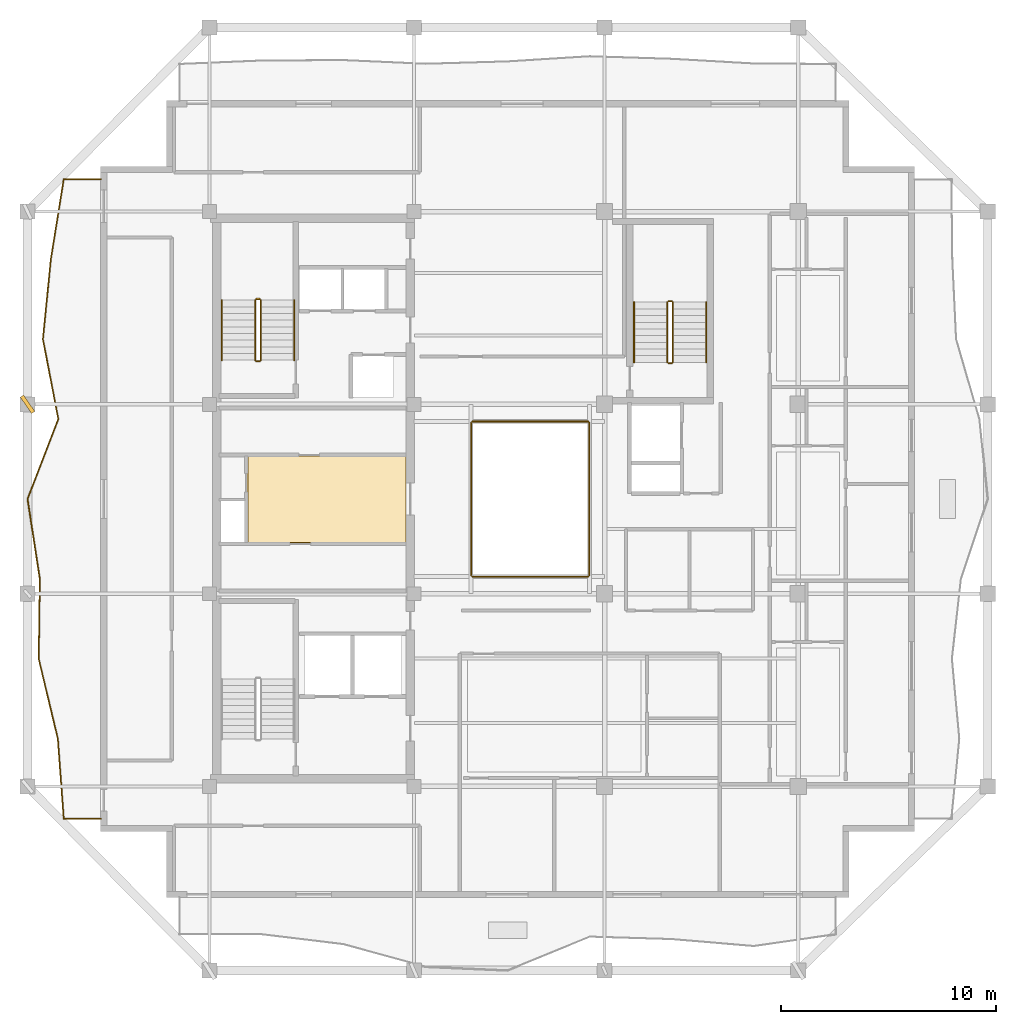
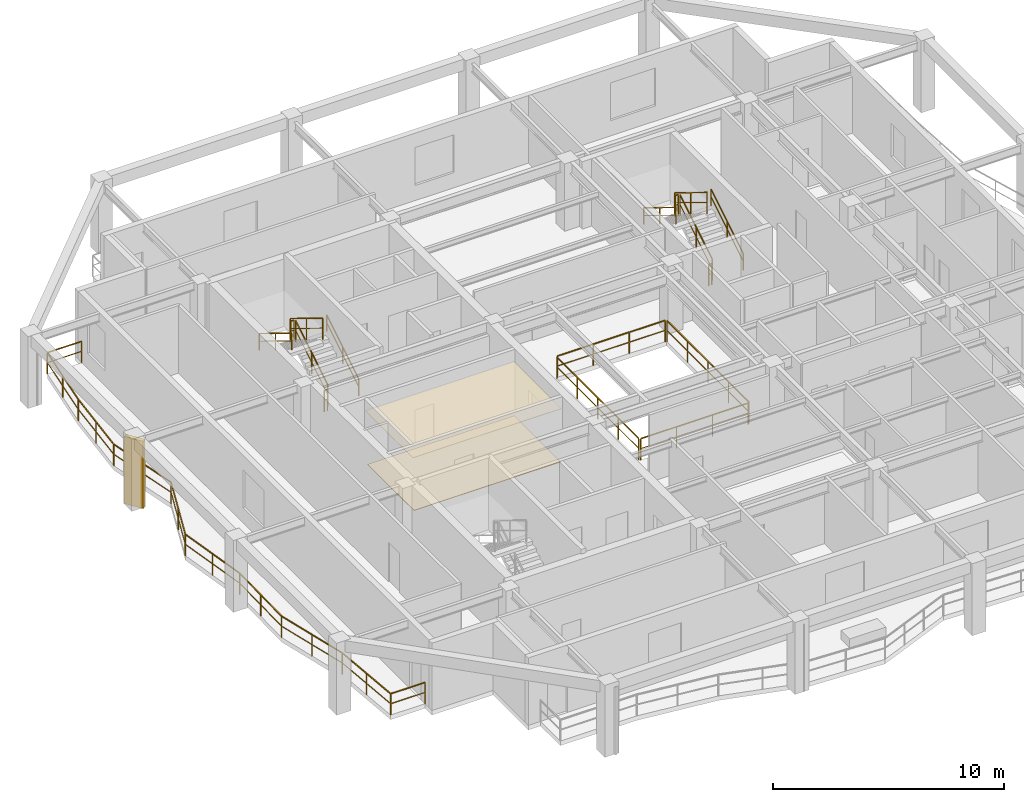
# One storey, part 8 of 10: 17 railings, 2 coverings, 1 shading device.
"""IFC4 building model written with IfcOpenShell, lengths in metres."""

from ifc_helpers import new_model, si_unit, direction, frame, origin, origin_2d, place, context, subcontext, project, spatial, polyline, rectangle, outline, extrude, material, layer, layer_set, type_object, element, save


model = new_model("IFC4")

# Units and contexts
model_context = context("Model", 3, precision=1e-05, world=origin(), true_north=direction((0.0, 1.0)))
body_context = subcontext(model_context, "Body", "Model", "MODEL_VIEW")
ifc_project = project(units=[si_unit("LENGTHUNIT", "METRE"), si_unit("AREAUNIT", "SQUARE_METRE"), si_unit("VOLUMEUNIT", "CUBIC_METRE"), si_unit("PLANEANGLEUNIT", "RADIAN"), si_unit("MASSUNIT", "GRAM", prefix="KILO")], contexts=[model_context])

# Site, building, storey
site_placement = place(None, origin())
site = spatial("IfcSite", under=ifc_project, at=site_placement, CompositionType="ELEMENT")
building_placement = place(site_placement, origin())
building = spatial("IfcBuilding", under=site, at=building_placement, Name="Kundavana Baori Tower", CompositionType="ELEMENT")
storey_placement = place(building_placement, frame((0.0, 0.0, 316.300048828125)))
storey = spatial("IfcBuildingStorey", under=building, at=storey_placement, Name="L78", CompositionType="ELEMENT", Elevation=316.300048828125)

# Coverings
ifc_material_1 = material(Name="Perforated Acoustic Mineral Fibre Ceiling Board")
ifc_layer_1 = layer(ifc_material_1, 0.02490234375, Name="COV-INT-CEIL")
ifc_layer_set_1 = layer_set([ifc_layer_1], Name="Perforated Acoustic Mineral Fibre Ceiling Board")
covering_type_1 = type_object("IfcCoveringType", Name="COV-INT-CEIL", PredefinedType="CEILING", material=ifc_layer_set_1)
covering_1_placement = place(storey_placement, frame((0.0, 0.0, 2.849853515625)))
element("IfcCovering", 1, at=covering_1_placement, inside=storey, type_object=covering_type_1, Name="L78 Core Lift Lobby Acoustic Ceiling", PredefinedType="CEILING", context=body_context, shape_type="SweptSolid", body=[
    extrude(outline(polyline([(17.159912109375, 26.52001953125), (24.580078125, 26.52001953125), (24.580078125, 30.639892578125), (17.159912109375, 30.639892578125), (17.159912109375, 26.52001953125)])), origin(), (0.0, 0.0, 1.0), 0.025146484375),
])
ifc_material_2 = material(Name="Honed Kota Stone and Terrazzo Flooring", Category="masonry")
ifc_layer_2 = layer(ifc_material_2, 0.030029296875, Name="COV-INT-FLR")
ifc_layer_set_2 = layer_set([ifc_layer_2], Name="Honed Kota Stone and Terrazzo Flooring")
covering_type_2 = type_object("IfcCoveringType", Name="COV-INT-FLR", PredefinedType="FLOORING", material=ifc_layer_set_2)
covering_2_placement = place(storey_placement, origin())
element("IfcCovering", 2, at=covering_2_placement, inside=storey, type_object=covering_type_2, Name="L78 Core Lift Lobby Kota Stone Flooring", PredefinedType="FLOORING", context=body_context, shape_type="SweptSolid", body=[
    extrude(outline(polyline([(17.25, 26.580078125), (24.580078125, 26.580078125), (24.580078125, 30.60009765625), (17.25, 30.60009765625), (17.25, 26.580078125)])), origin(), (0.0, 0.0, 1.0), 0.030029296875),
])

# Railings
ifc_material_3 = material(Name="Architectural Patinated Bronze Metalwork")
railing_type_1 = type_object("IfcRailingType", Name="RL-BAL-1150", PredefinedType="BALUSTRADE", material=ifc_material_3)
railing_1_placement = place(storey_placement, frame((10.39990234375, 13.75, 0.0)))
element("IfcRailing", 3, at=railing_1_placement, inside=storey, type_object=railing_type_1, Name="L78 Loggia Balcony Balustrade W", PredefinedType="BALUSTRADE", context=body_context, shape_type="SweptSolid", body=[
    extrude(rectangle(XDim=0.048095703125, YDim=0.048095703125, at=origin_2d()), frame((0.0, 0.0, 1.1259765625), z_axis=(-1.0, 0.0, 0.0), x_axis=(0.0, -1.0, 0.0)), (0.0, 0.0, 1.0), 1.719970703125),
    extrude(rectangle(XDim=0.03125, YDim=0.03125, at=origin_2d()), frame((0.0, 0.0, 0.597900390625), z_axis=(-1.0, 0.0, 0.0), x_axis=(0.0, -1.0, 0.0)), (0.0, 0.0, 1.0), 1.719970703125),
    extrude(rectangle(XDim=0.048095703125, YDim=0.048095703125, at=origin_2d()), frame((-1.719970703125, 0.0, 1.1259765625), z_axis=(-0.073596242434, 0.997288119402, 0.0), x_axis=(-0.997288119402, -0.073596242434, 0.0)), (0.0, 0.0, 1.0), 3.721923828125),
    extrude(rectangle(XDim=0.03125, YDim=0.03125, at=origin_2d()), frame((-1.719970703125, 0.0, 0.597900390625), z_axis=(-0.073596242434, 0.997288119402, 0.0), x_axis=(-0.997288119402, -0.073596242434, 0.0)), (0.0, 0.0, 1.0), 3.721923828125),
    extrude(rectangle(XDim=0.048095703125, YDim=0.048095703125, at=origin_2d()), frame((-1.993896484375, 3.7119140625, 1.1259765625), z_axis=(-0.232577158128, 0.972577948299, 0.0), x_axis=(-0.972577948299, -0.232577158128, 0.0)), (0.0, 0.0, 1.0), 3.81787109375),
    extrude(rectangle(XDim=0.03125, YDim=0.03125, at=origin_2d()), frame((-1.993896484375, 3.7119140625, 0.597900390625), z_axis=(-0.232577158128, 0.972577948299, 0.0), x_axis=(-0.972577948299, -0.232577158128, 0.0)), (0.0, 0.0, 1.0), 3.81787109375),
    extrude(rectangle(XDim=0.048095703125, YDim=0.048095703125, at=origin_2d()), frame((-2.8818359375, 7.425048828125, 1.1259765625), z_axis=(0.014004412928, 0.999901933401, 0.0), x_axis=(-0.999901933401, 0.014004412928, 0.0)), (0.0, 0.0, 1.0), 3.713134765625),
    extrude(rectangle(XDim=0.03125, YDim=0.03125, at=origin_2d()), frame((-2.8818359375, 7.425048828125, 0.597900390625), z_axis=(0.014004412928, 0.999901933401, 0.0), x_axis=(-0.999901933401, 0.014004412928, 0.0)), (0.0, 0.0, 1.0), 3.713134765625),
    extrude(rectangle(XDim=0.048095703125, YDim=0.048095703125, at=origin_2d()), frame((-2.829833984375, 11.137939453125, 1.1259765625), z_axis=(-0.1517885131, 0.988412994295, 0.0), x_axis=(-0.988412994295, -0.1517885131, 0.0)), (0.0, 0.0, 1.0), 3.755615234375),
    extrude(rectangle(XDim=0.03125, YDim=0.03125, at=origin_2d()), frame((-2.829833984375, 11.137939453125, 0.597900390625), z_axis=(-0.1517885131, 0.988412994295, 0.0), x_axis=(-0.988412994295, -0.1517885131, 0.0)), (0.0, 0.0, 1.0), 3.755615234375),
    extrude(rectangle(XDim=0.048095703125, YDim=0.048095703125, at=origin_2d()), frame((-3.39990234375, 14.85009765625, 1.1259765625), z_axis=(0.359262870642, 0.933236406158, 0.0), x_axis=(-0.933236406158, 0.359262870642, 0.0)), (0.0, 0.0, 1.0), 3.9775390625),
    extrude(rectangle(XDim=0.03125, YDim=0.03125, at=origin_2d()), frame((-3.39990234375, 14.85009765625, 0.597900390625), z_axis=(0.359262870642, 0.933236406158, 0.0), x_axis=(-0.933236406158, 0.359262870642, 0.0)), (0.0, 0.0, 1.0), 3.9775390625),
    extrude(rectangle(XDim=0.048095703125, YDim=0.048095703125, at=origin_2d()), frame((-1.970947265625, 18.56201171875, 1.1259765625), z_axis=(-0.189369413955, 0.981905914565, 0.0), x_axis=(-0.981905914565, -0.189369413955, 0.0)), (0.0, 0.0, 1.0), 3.78125),
    extrude(rectangle(XDim=0.03125, YDim=0.03125, at=origin_2d()), frame((-1.970947265625, 18.56201171875, 0.597900390625), z_axis=(-0.189369413955, 0.981905914565, 0.0), x_axis=(-0.981905914565, -0.189369413955, 0.0)), (0.0, 0.0, 1.0), 3.78125),
    extrude(rectangle(XDim=0.048095703125, YDim=0.048095703125, at=origin_2d()), frame((-2.68701171875, 22.27490234375, 1.1259765625), z_axis=(0.098667997576, 0.995120407918, 0.0), x_axis=(-0.995120407918, 0.098667997576, 0.0)), (0.0, 0.0, 1.0), 3.7314453125),
    extrude(rectangle(XDim=0.03125, YDim=0.03125, at=origin_2d()), frame((-2.68701171875, 22.27490234375, 0.597900390625), z_axis=(0.098667997576, 0.995120407918, 0.0), x_axis=(-0.995120407918, 0.098667997576, 0.0)), (0.0, 0.0, 1.0), 3.7314453125),
    extrude(rectangle(XDim=0.048095703125, YDim=0.048095703125, at=origin_2d()), frame((-2.31884765625, 25.988037109375, 1.1259765625), z_axis=(0.159279392868, 0.987233546334, 0.0), x_axis=(-0.987233546334, 0.159279392868, 0.0)), (0.0, 0.0, 1.0), 3.760009765625),
    extrude(rectangle(XDim=0.03125, YDim=0.03125, at=origin_2d()), frame((-2.31884765625, 25.988037109375, 0.597900390625), z_axis=(0.159279392868, 0.987233546334, 0.0), x_axis=(-0.987233546334, 0.159279392868, 0.0)), (0.0, 0.0, 1.0), 3.760009765625),
    extrude(rectangle(XDim=0.048095703125, YDim=0.048095703125, at=origin_2d()), frame((-1.719970703125, 29.699951171875, 1.1259765625), z_axis=(1.0, 0.0, 0.0), x_axis=(0.0, 1.0, 0.0)), (0.0, 0.0, 1.0), 1.719970703125),
    extrude(rectangle(XDim=0.03125, YDim=0.03125, at=origin_2d()), frame((-1.719970703125, 29.699951171875, 0.597900390625), z_axis=(1.0, 0.0, 0.0), x_axis=(0.0, 1.0, 0.0)), (0.0, 0.0, 1.0), 1.719970703125),
    extrude(rectangle(XDim=0.0419921875, YDim=0.0419921875, at=origin_2d()), origin(), (0.0, 0.0, 1.0), 1.101806640625),
    extrude(rectangle(XDim=0.0419921875, YDim=0.0419921875, at=origin_2d()), frame((-1.719970703125, 0.0, 0.0)), (0.0, 0.0, 1.0), 1.101806640625),
    extrude(rectangle(XDim=0.0419921875, YDim=0.0419921875, at=origin_2d()), frame((-1.85693359375, 1.85595703125, 0.0)), (0.0, 0.0, 1.0), 1.101806640625),
    extrude(rectangle(XDim=0.0419921875, YDim=0.0419921875, at=origin_2d()), frame((-1.993896484375, 3.7119140625, 0.0)), (0.0, 0.0, 1.0), 1.101806640625),
    extrude(rectangle(XDim=0.0419921875, YDim=0.0419921875, at=origin_2d()), frame((-2.43798828125, 5.568359375, 0.0)), (0.0, 0.0, 1.0), 1.101806640625),
    extrude(rectangle(XDim=0.0419921875, YDim=0.0419921875, at=origin_2d()), frame((-2.8818359375, 7.425048828125, 0.0)), (0.0, 0.0, 1.0), 1.101806640625),
    extrude(rectangle(XDim=0.0419921875, YDim=0.0419921875, at=origin_2d()), frame((-2.85595703125, 9.281494140625, 0.0)), (0.0, 0.0, 1.0), 1.101806640625),
    extrude(rectangle(XDim=0.0419921875, YDim=0.0419921875, at=origin_2d()), frame((-2.829833984375, 11.137939453125, 0.0)), (0.0, 0.0, 1.0), 1.101806640625),
    extrude(rectangle(XDim=0.0419921875, YDim=0.0419921875, at=origin_2d()), frame((-3.11474609375, 12.994140625, 0.0)), (0.0, 0.0, 1.0), 1.101806640625),
    extrude(rectangle(XDim=0.0419921875, YDim=0.0419921875, at=origin_2d()), frame((-3.39990234375, 14.85009765625, 0.0)), (0.0, 0.0, 1.0), 1.101806640625),
    extrude(rectangle(XDim=0.0419921875, YDim=0.0419921875, at=origin_2d()), frame((-2.685546875, 16.7060546875, 0.0)), (0.0, 0.0, 1.0), 1.101806640625),
    extrude(rectangle(XDim=0.0419921875, YDim=0.0419921875, at=origin_2d()), frame((-1.970947265625, 18.56201171875, 0.0)), (0.0, 0.0, 1.0), 1.101806640625),
    extrude(rectangle(XDim=0.0419921875, YDim=0.0419921875, at=origin_2d()), frame((-2.3291015625, 20.41845703125, 0.0)), (0.0, 0.0, 1.0), 1.101806640625),
    extrude(rectangle(XDim=0.0419921875, YDim=0.0419921875, at=origin_2d()), frame((-2.68701171875, 22.27490234375, 0.0)), (0.0, 0.0, 1.0), 1.101806640625),
    extrude(rectangle(XDim=0.0419921875, YDim=0.0419921875, at=origin_2d()), frame((-2.5029296875, 24.13134765625, 0.0)), (0.0, 0.0, 1.0), 1.101806640625),
    extrude(rectangle(XDim=0.0419921875, YDim=0.0419921875, at=origin_2d()), frame((-2.31884765625, 25.988037109375, 0.0)), (0.0, 0.0, 1.0), 1.101806640625),
    extrude(rectangle(XDim=0.0419921875, YDim=0.0419921875, at=origin_2d()), frame((-2.01953125, 27.843994140625, 0.0)), (0.0, 0.0, 1.0), 1.101806640625),
    extrude(rectangle(XDim=0.0419921875, YDim=0.0419921875, at=origin_2d()), frame((-1.719970703125, 29.699951171875, 0.0)), (0.0, 0.0, 1.0), 1.101806640625),
    extrude(rectangle(XDim=0.0419921875, YDim=0.0419921875, at=origin_2d()), frame((0.0, 29.699951171875, 0.0)), (0.0, 0.0, 1.0), 1.101806640625),
])
ifc_material_4 = material(Name="Architectural Patinated Bronze Metalwork")
railing_type_2 = type_object("IfcRailingType", Name="RL-GRD-1150", PredefinedType="GUARDRAIL", material=ifc_material_4)
railing_2_placement = place(storey_placement, frame((17.840087890625, 35.050048828125, 0.18994140625)))
element("IfcRailing", 4, at=railing_2_placement, inside=storey, type_object=railing_type_2, Name="L78 ST2 stair guard 1", PredefinedType="GUARDRAIL", context=body_context, shape_type="SweptSolid", body=[
    extrude(rectangle(XDim=0.048095703125, YDim=0.048095703125, at=origin_2d()), frame((0.0, 0.0, 1.1259765625), z_axis=(0.0, 0.852609830418, 0.522548061975), x_axis=(-1.0, 0.0, 0.0)), (0.0, 0.0, 1.0), 3.2724609375),
    extrude(rectangle(XDim=0.03125, YDim=0.03125, at=origin_2d()), frame((0.0, 0.0, 0.597900390625), z_axis=(0.0, 0.852609830418, 0.522548061975), x_axis=(-1.0, 0.0, 0.0)), (0.0, 0.0, 1.0), 3.2724609375),
    extrude(rectangle(XDim=0.0419921875, YDim=0.0419921875, at=origin_2d()), origin(), (0.0, 0.0, 1.0), 1.101806640625),
    extrude(rectangle(XDim=0.0419921875, YDim=0.0419921875, at=origin_2d()), frame((0.0, 1.39501953125, 0.85498046875)), (0.0, 0.0, 1.0), 1.101806640625),
    extrude(rectangle(XDim=0.0419921875, YDim=0.0419921875, at=origin_2d()), frame((0.0, 2.7900390625, 1.7099609375)), (0.0, 0.0, 1.0), 1.101806640625),
])
railing_3_placement = place(storey_placement, frame((17.7900390625, 37.889892578125, 1.89990234375)))
element("IfcRailing", 5, at=railing_3_placement, inside=storey, type_object=railing_type_2, Name="L78 ST2 stair guard 2", PredefinedType="GUARDRAIL", context=body_context, shape_type="SweptSolid", body=[
    extrude(rectangle(XDim=0.048095703125, YDim=0.048095703125, at=origin_2d()), frame((0.0, 0.0, 1.1259765625), z_axis=(-1.0, 0.0, 0.0), x_axis=(0.0, -1.0, 0.0)), (0.0, 0.0, 1.0), 0.16015625),
    extrude(rectangle(XDim=0.03125, YDim=0.03125, at=origin_2d()), frame((0.0, 0.0, 0.597900390625), z_axis=(-1.0, 0.0, 0.0), x_axis=(0.0, -1.0, 0.0)), (0.0, 0.0, 1.0), 0.16015625),
    extrude(rectangle(XDim=0.0419921875, YDim=0.0419921875, at=origin_2d()), origin(), (0.0, 0.0, 1.0), 1.101806640625),
    extrude(rectangle(XDim=0.0419921875, YDim=0.0419921875, at=origin_2d()), frame((-0.16015625, 0.0, 0.0)), (0.0, 0.0, 1.0), 1.101806640625),
])
railing_4_placement = place(storey_placement, frame((17.580078125, 37.840087890625, 2.08984375)))
element("IfcRailing", 6, at=railing_4_placement, inside=storey, type_object=railing_type_2, Name="L78 ST2 stair guard 3", PredefinedType="GUARDRAIL", context=body_context, shape_type="SweptSolid", body=[
    extrude(rectangle(XDim=0.048095703125, YDim=0.048095703125, at=origin_2d()), frame((0.0, 0.0, 1.1259765625), z_axis=(0.0, -0.852576590321, 0.522602293945), x_axis=(1.0, 0.0, 0.0)), (0.0, 0.0, 1.0), 3.2724609375),
    extrude(rectangle(XDim=0.03125, YDim=0.03125, at=origin_2d()), frame((0.0, 0.0, 0.597900390625), z_axis=(0.0, -0.852576590321, 0.522602293945), x_axis=(1.0, 0.0, 0.0)), (0.0, 0.0, 1.0), 3.2724609375),
    extrude(rectangle(XDim=0.0419921875, YDim=0.0419921875, at=origin_2d()), origin(), (0.0, 0.0, 1.0), 1.101806640625),
    extrude(rectangle(XDim=0.0419921875, YDim=0.0419921875, at=origin_2d()), frame((0.0, -1.39501953125, 0.85498046875)), (0.0, 0.0, 1.0), 1.101806640625),
    extrude(rectangle(XDim=0.0419921875, YDim=0.0419921875, at=origin_2d()), frame((0.0, -2.7900390625, 1.710205078125)), (0.0, 0.0, 1.0), 1.101806640625),
])
railing_5_placement = place(storey_placement, frame((17.7900390625, 35.0, 0.0)))
element("IfcRailing", 7, at=railing_5_placement, inside=storey, type_object=railing_type_2, Name="L78 ST2 stair guard 4", PredefinedType="GUARDRAIL", context=body_context, shape_type="SweptSolid", body=[
    extrude(rectangle(XDim=0.048095703125, YDim=0.048095703125, at=origin_2d()), frame((0.0, 0.0, 1.1259765625), z_axis=(-1.0, 0.0, 0.0), x_axis=(0.0, -1.0, 0.0)), (0.0, 0.0, 1.0), 0.16015625),
    extrude(rectangle(XDim=0.03125, YDim=0.03125, at=origin_2d()), frame((0.0, 0.0, 0.597900390625), z_axis=(-1.0, 0.0, 0.0), x_axis=(0.0, -1.0, 0.0)), (0.0, 0.0, 1.0), 0.16015625),
    extrude(rectangle(XDim=0.0419921875, YDim=0.0419921875, at=origin_2d()), origin(), (0.0, 0.0, 1.0), 1.101806640625),
    extrude(rectangle(XDim=0.0419921875, YDim=0.0419921875, at=origin_2d()), frame((-0.16015625, 0.0, 0.0)), (0.0, 0.0, 1.0), 1.101806640625),
])
railing_6_placement = place(storey_placement, frame((36.97998046875, 34.949951171875, 0.18994140625)))
element("IfcRailing", 8, at=railing_6_placement, inside=storey, type_object=railing_type_2, Name="L78 ST3 stair guard 1", PredefinedType="GUARDRAIL", context=body_context, shape_type="SweptSolid", body=[
    extrude(rectangle(XDim=0.048095703125, YDim=0.048095703125, at=origin_2d()), frame((0.0, 0.0, 1.1259765625), z_axis=(0.0, 0.852609830418, 0.522548061975), x_axis=(-1.0, 0.0, 0.0)), (0.0, 0.0, 1.0), 3.2724609375),
    extrude(rectangle(XDim=0.03125, YDim=0.03125, at=origin_2d()), frame((0.0, 0.0, 0.597900390625), z_axis=(0.0, 0.852609830418, 0.522548061975), x_axis=(-1.0, 0.0, 0.0)), (0.0, 0.0, 1.0), 3.2724609375),
    extrude(rectangle(XDim=0.0419921875, YDim=0.0419921875, at=origin_2d()), origin(), (0.0, 0.0, 1.0), 1.101806640625),
    extrude(rectangle(XDim=0.0419921875, YDim=0.0419921875, at=origin_2d()), frame((0.0, 1.39501953125, 0.85498046875)), (0.0, 0.0, 1.0), 1.101806640625),
    extrude(rectangle(XDim=0.0419921875, YDim=0.0419921875, at=origin_2d()), frame((0.0, 2.7900390625, 1.7099609375)), (0.0, 0.0, 1.0), 1.101806640625),
])
railing_7_placement = place(storey_placement, frame((36.929931640625, 37.7900390625, 1.89990234375)))
element("IfcRailing", 9, at=railing_7_placement, inside=storey, type_object=railing_type_2, Name="L78 ST3 stair guard 2", PredefinedType="GUARDRAIL", context=body_context, shape_type="SweptSolid", body=[
    extrude(rectangle(XDim=0.048095703125, YDim=0.048095703125, at=origin_2d()), frame((0.0, 0.0, 1.1259765625), z_axis=(-1.0, 0.0, 0.0), x_axis=(0.0, -1.0, 0.0)), (0.0, 0.0, 1.0), 0.159912109375),
    extrude(rectangle(XDim=0.03125, YDim=0.03125, at=origin_2d()), frame((0.0, 0.0, 0.597900390625), z_axis=(-1.0, 0.0, 0.0), x_axis=(0.0, -1.0, 0.0)), (0.0, 0.0, 1.0), 0.159912109375),
    extrude(rectangle(XDim=0.0419921875, YDim=0.0419921875, at=origin_2d()), origin(), (0.0, 0.0, 1.0), 1.101806640625),
    extrude(rectangle(XDim=0.0419921875, YDim=0.0419921875, at=origin_2d()), frame((-0.159912109375, 0.0, 0.0)), (0.0, 0.0, 1.0), 1.101806640625),
])
railing_8_placement = place(storey_placement, frame((36.719970703125, 37.739990234375, 2.08984375)))
element("IfcRailing", 10, at=railing_8_placement, inside=storey, type_object=railing_type_2, Name="L78 ST3 stair guard 3", PredefinedType="GUARDRAIL", context=body_context, shape_type="SweptSolid", body=[
    extrude(rectangle(XDim=0.048095703125, YDim=0.048095703125, at=origin_2d()), frame((0.0, 0.0, 1.1259765625), z_axis=(0.0, -0.852576590321, 0.522602293945), x_axis=(1.0, 0.0, 0.0)), (0.0, 0.0, 1.0), 3.2724609375),
    extrude(rectangle(XDim=0.03125, YDim=0.03125, at=origin_2d()), frame((0.0, 0.0, 0.597900390625), z_axis=(0.0, -0.852576590321, 0.522602293945), x_axis=(1.0, 0.0, 0.0)), (0.0, 0.0, 1.0), 3.2724609375),
    extrude(rectangle(XDim=0.0419921875, YDim=0.0419921875, at=origin_2d()), origin(), (0.0, 0.0, 1.0), 1.101806640625),
    extrude(rectangle(XDim=0.0419921875, YDim=0.0419921875, at=origin_2d()), frame((0.0, -1.39501953125, 0.85498046875)), (0.0, 0.0, 1.0), 1.101806640625),
    extrude(rectangle(XDim=0.0419921875, YDim=0.0419921875, at=origin_2d()), frame((0.0, -2.7900390625, 1.710205078125)), (0.0, 0.0, 1.0), 1.101806640625),
])
railing_9_placement = place(storey_placement, frame((36.929931640625, 34.89990234375, 0.0)))
element("IfcRailing", 11, at=railing_9_placement, inside=storey, type_object=railing_type_2, Name="L78 ST3 stair guard 4", PredefinedType="GUARDRAIL", context=body_context, shape_type="SweptSolid", body=[
    extrude(rectangle(XDim=0.048095703125, YDim=0.048095703125, at=origin_2d()), frame((0.0, 0.0, 1.1259765625), z_axis=(-1.0, 0.0, 0.0), x_axis=(0.0, -1.0, 0.0)), (0.0, 0.0, 1.0), 0.159912109375),
    extrude(rectangle(XDim=0.03125, YDim=0.03125, at=origin_2d()), frame((0.0, 0.0, 0.597900390625), z_axis=(-1.0, 0.0, 0.0), x_axis=(0.0, -1.0, 0.0)), (0.0, 0.0, 1.0), 0.159912109375),
    extrude(rectangle(XDim=0.0419921875, YDim=0.0419921875, at=origin_2d()), origin(), (0.0, 0.0, 1.0), 1.101806640625),
    extrude(rectangle(XDim=0.0419921875, YDim=0.0419921875, at=origin_2d()), frame((-0.159912109375, 0.0, 0.0)), (0.0, 0.0, 1.0), 1.101806640625),
])
railing_10_placement = place(storey_placement, frame((27.659912109375, 25.0, 0.0)))
element("IfcRailing", 12, at=railing_10_placement, inside=storey, type_object=railing_type_2, Name="L78 Atrium Void Perimeter Guardrail S", PredefinedType="GUARDRAIL", context=body_context, shape_type="SweptSolid", body=[
    extrude(rectangle(XDim=0.048095703125, YDim=0.048095703125, at=origin_2d()), frame((0.0, 0.0, 1.1259765625), z_axis=(1.0, 0.0, 0.0), x_axis=(0.0, 1.0, 0.0)), (0.0, 0.0, 1.0), 5.380126953125),
    extrude(rectangle(XDim=0.03125, YDim=0.03125, at=origin_2d()), frame((0.0, 0.0, 0.597900390625), z_axis=(1.0, 0.0, 0.0), x_axis=(0.0, 1.0, 0.0)), (0.0, 0.0, 1.0), 5.380126953125),
    extrude(rectangle(XDim=0.0419921875, YDim=0.0419921875, at=origin_2d()), origin(), (0.0, 0.0, 1.0), 1.101806640625),
    extrude(rectangle(XDim=0.0419921875, YDim=0.0419921875, at=origin_2d()), frame((1.79345703125, 0.0, 0.0)), (0.0, 0.0, 1.0), 1.101806640625),
    extrude(rectangle(XDim=0.0419921875, YDim=0.0419921875, at=origin_2d()), frame((3.586669921875, 0.0, 0.0)), (0.0, 0.0, 1.0), 1.101806640625),
    extrude(rectangle(XDim=0.0419921875, YDim=0.0419921875, at=origin_2d()), frame((5.380126953125, 0.0, 0.0)), (0.0, 0.0, 1.0), 1.101806640625),
])
railing_11_placement = place(storey_placement, frame((33.10009765625, 25.06005859375, 0.0)))
element("IfcRailing", 13, at=railing_11_placement, inside=storey, type_object=railing_type_2, Name="L78 Atrium Void Perimeter Guardrail E", PredefinedType="GUARDRAIL", context=body_context, shape_type="SweptSolid", body=[
    extrude(rectangle(XDim=0.048095703125, YDim=0.048095703125, at=origin_2d()), frame((0.0, 0.0, 1.1259765625), z_axis=(0.0, 1.0, 0.0), x_axis=(-1.0, 0.0, 0.0)), (0.0, 0.0, 1.0), 7.079833984375),
    extrude(rectangle(XDim=0.03125, YDim=0.03125, at=origin_2d()), frame((0.0, 0.0, 0.597900390625), z_axis=(0.0, 1.0, 0.0), x_axis=(-1.0, 0.0, 0.0)), (0.0, 0.0, 1.0), 7.079833984375),
    extrude(rectangle(XDim=0.0419921875, YDim=0.0419921875, at=origin_2d()), origin(), (0.0, 0.0, 1.0), 1.101806640625),
    extrude(rectangle(XDim=0.0419921875, YDim=0.0419921875, at=origin_2d()), frame((0.0, 1.77001953125, 0.0)), (0.0, 0.0, 1.0), 1.101806640625),
    extrude(rectangle(XDim=0.0419921875, YDim=0.0419921875, at=origin_2d()), frame((0.0, 3.5400390625, 0.0)), (0.0, 0.0, 1.0), 1.101806640625),
    extrude(rectangle(XDim=0.0419921875, YDim=0.0419921875, at=origin_2d()), frame((0.0, 5.309814453125, 0.0)), (0.0, 0.0, 1.0), 1.101806640625),
    extrude(rectangle(XDim=0.0419921875, YDim=0.0419921875, at=origin_2d()), frame((0.0, 7.079833984375, 0.0)), (0.0, 0.0, 1.0), 1.101806640625),
])
railing_12_placement = place(storey_placement, frame((33.0400390625, 32.199951171875, 0.0)))
element("IfcRailing", 14, at=railing_12_placement, inside=storey, type_object=railing_type_2, Name="L78 Atrium Void Perimeter Guardrail N", PredefinedType="GUARDRAIL", context=body_context, shape_type="SweptSolid", body=[
    extrude(rectangle(XDim=0.048095703125, YDim=0.048095703125, at=origin_2d()), frame((0.0, 0.0, 1.1259765625), z_axis=(-1.0, 0.0, 0.0), x_axis=(0.0, -1.0, 0.0)), (0.0, 0.0, 1.0), 5.380126953125),
    extrude(rectangle(XDim=0.03125, YDim=0.03125, at=origin_2d()), frame((0.0, 0.0, 0.597900390625), z_axis=(-1.0, 0.0, 0.0), x_axis=(0.0, -1.0, 0.0)), (0.0, 0.0, 1.0), 5.380126953125),
    extrude(rectangle(XDim=0.0419921875, YDim=0.0419921875, at=origin_2d()), origin(), (0.0, 0.0, 1.0), 1.101806640625),
    extrude(rectangle(XDim=0.0419921875, YDim=0.0419921875, at=origin_2d()), frame((-1.79345703125, 0.0, 0.0)), (0.0, 0.0, 1.0), 1.101806640625),
    extrude(rectangle(XDim=0.0419921875, YDim=0.0419921875, at=origin_2d()), frame((-3.586669921875, 0.0, 0.0)), (0.0, 0.0, 1.0), 1.101806640625),
    extrude(rectangle(XDim=0.0419921875, YDim=0.0419921875, at=origin_2d()), frame((-5.380126953125, 0.0, 0.0)), (0.0, 0.0, 1.0), 1.101806640625),
])
railing_13_placement = place(storey_placement, frame((27.60009765625, 32.139892578125, 0.0)))
element("IfcRailing", 15, at=railing_13_placement, inside=storey, type_object=railing_type_2, Name="L78 Atrium Void Perimeter Guardrail W", PredefinedType="GUARDRAIL", context=body_context, shape_type="SweptSolid", body=[
    extrude(rectangle(XDim=0.048095703125, YDim=0.048095703125, at=origin_2d()), frame((0.0, 0.0, 1.1259765625), z_axis=(0.0, -1.0, 0.0), x_axis=(1.0, 0.0, 0.0)), (0.0, 0.0, 1.0), 7.079833984375),
    extrude(rectangle(XDim=0.03125, YDim=0.03125, at=origin_2d()), frame((0.0, 0.0, 0.597900390625), z_axis=(0.0, -1.0, 0.0), x_axis=(1.0, 0.0, 0.0)), (0.0, 0.0, 1.0), 7.079833984375),
    extrude(rectangle(XDim=0.0419921875, YDim=0.0419921875, at=origin_2d()), origin(), (0.0, 0.0, 1.0), 1.101806640625),
    extrude(rectangle(XDim=0.0419921875, YDim=0.0419921875, at=origin_2d()), frame((0.0, -1.77001953125, 0.0)), (0.0, 0.0, 1.0), 1.101806640625),
    extrude(rectangle(XDim=0.0419921875, YDim=0.0419921875, at=origin_2d()), frame((0.0, -3.5400390625, 0.0)), (0.0, 0.0, 1.0), 1.101806640625),
    extrude(rectangle(XDim=0.0419921875, YDim=0.0419921875, at=origin_2d()), frame((0.0, -5.309814453125, 0.0)), (0.0, 0.0, 1.0), 1.101806640625),
    extrude(rectangle(XDim=0.0419921875, YDim=0.0419921875, at=origin_2d()), frame((0.0, -7.079833984375, 0.0)), (0.0, 0.0, 1.0), 1.101806640625),
])
ifc_material_5 = material(Name="Architectural Patinated Bronze Metalwork")
railing_type_3 = type_object("IfcRailingType", Name="RL-HND-920", PredefinedType="HANDRAIL", material=ifc_material_5)
railing_14_placement = place(storey_placement, frame((19.389892578125, 35.050048828125, 0.18994140625)))
element("IfcRailing", 16, at=railing_14_placement, inside=storey, type_object=railing_type_3, Name="L78 ST2 stair handrail 1", PredefinedType="HANDRAIL", context=body_context, shape_type="SweptSolid", body=[
    extrude(rectangle(XDim=0.048095703125, YDim=0.048095703125, at=origin_2d()), frame((0.0, 0.0, 0.8759765625), z_axis=(0.0, 0.852609830418, 0.522548061975), x_axis=(-1.0, 0.0, 0.0)), (0.0, 0.0, 1.0), 3.2724609375),
    extrude(rectangle(XDim=0.03125, YDim=0.03125, at=origin_2d()), frame((0.0, 0.0, 0.468017578125), z_axis=(0.0, 0.852609830418, 0.522548061975), x_axis=(-1.0, 0.0, 0.0)), (0.0, 0.0, 1.0), 3.2724609375),
    extrude(rectangle(XDim=0.0419921875, YDim=0.0419921875, at=origin_2d()), origin(), (0.0, 0.0, 1.0), 0.851806640625),
    extrude(rectangle(XDim=0.0419921875, YDim=0.0419921875, at=origin_2d()), frame((0.0, 1.39501953125, 0.85498046875)), (0.0, 0.0, 1.0), 0.851806640625),
    extrude(rectangle(XDim=0.0419921875, YDim=0.0419921875, at=origin_2d()), frame((0.0, 2.7900390625, 1.7099609375)), (0.0, 0.0, 1.0), 0.851806640625),
])
railing_15_placement = place(storey_placement, frame((16.030029296875, 37.840087890625, 2.08984375)))
element("IfcRailing", 17, at=railing_15_placement, inside=storey, type_object=railing_type_3, Name="L78 ST2 stair handrail 2", PredefinedType="HANDRAIL", context=body_context, shape_type="SweptSolid", body=[
    extrude(rectangle(XDim=0.048095703125, YDim=0.048095703125, at=origin_2d()), frame((0.0, 0.0, 0.8759765625), z_axis=(0.0, -0.852576590321, 0.522602293945), x_axis=(1.0, 0.0, 0.0)), (0.0, 0.0, 1.0), 3.2724609375),
    extrude(rectangle(XDim=0.03125, YDim=0.03125, at=origin_2d()), frame((0.0, 0.0, 0.468017578125), z_axis=(0.0, -0.852576590321, 0.522602293945), x_axis=(1.0, 0.0, 0.0)), (0.0, 0.0, 1.0), 3.2724609375),
    extrude(rectangle(XDim=0.0419921875, YDim=0.0419921875, at=origin_2d()), origin(), (0.0, 0.0, 1.0), 0.851806640625),
    extrude(rectangle(XDim=0.0419921875, YDim=0.0419921875, at=origin_2d()), frame((0.0, -1.39501953125, 0.85498046875)), (0.0, 0.0, 1.0), 0.851806640625),
    extrude(rectangle(XDim=0.0419921875, YDim=0.0419921875, at=origin_2d()), frame((0.0, -2.7900390625, 1.710205078125)), (0.0, 0.0, 1.0), 0.851806640625),
])
railing_16_placement = place(storey_placement, frame((38.530029296875, 34.949951171875, 0.18994140625)))
element("IfcRailing", 18, at=railing_16_placement, inside=storey, type_object=railing_type_3, Name="L78 ST3 stair handrail 1", PredefinedType="HANDRAIL", context=body_context, shape_type="SweptSolid", body=[
    extrude(rectangle(XDim=0.048095703125, YDim=0.048095703125, at=origin_2d()), frame((0.0, 0.0, 0.8759765625), z_axis=(0.0, 0.852609830418, 0.522548061975), x_axis=(-1.0, 0.0, 0.0)), (0.0, 0.0, 1.0), 3.2724609375),
    extrude(rectangle(XDim=0.03125, YDim=0.03125, at=origin_2d()), frame((0.0, 0.0, 0.468017578125), z_axis=(0.0, 0.852609830418, 0.522548061975), x_axis=(-1.0, 0.0, 0.0)), (0.0, 0.0, 1.0), 3.2724609375),
    extrude(rectangle(XDim=0.0419921875, YDim=0.0419921875, at=origin_2d()), origin(), (0.0, 0.0, 1.0), 0.851806640625),
    extrude(rectangle(XDim=0.0419921875, YDim=0.0419921875, at=origin_2d()), frame((0.0, 1.39501953125, 0.85498046875)), (0.0, 0.0, 1.0), 0.851806640625),
    extrude(rectangle(XDim=0.0419921875, YDim=0.0419921875, at=origin_2d()), frame((0.0, 2.7900390625, 1.7099609375)), (0.0, 0.0, 1.0), 0.851806640625),
])
railing_17_placement = place(storey_placement, frame((35.169921875, 37.739990234375, 2.08984375)))
element("IfcRailing", 19, at=railing_17_placement, inside=storey, type_object=railing_type_3, Name="L78 ST3 stair handrail 2", PredefinedType="HANDRAIL", context=body_context, shape_type="SweptSolid", body=[
    extrude(rectangle(XDim=0.048095703125, YDim=0.048095703125, at=origin_2d()), frame((0.0, 0.0, 0.8759765625), z_axis=(0.0, -0.852576590321, 0.522602293945), x_axis=(1.0, 0.0, 0.0)), (0.0, 0.0, 1.0), 3.2724609375),
    extrude(rectangle(XDim=0.03125, YDim=0.03125, at=origin_2d()), frame((0.0, 0.0, 0.468017578125), z_axis=(0.0, -0.852576590321, 0.522602293945), x_axis=(1.0, 0.0, 0.0)), (0.0, 0.0, 1.0), 3.2724609375),
    extrude(rectangle(XDim=0.0419921875, YDim=0.0419921875, at=origin_2d()), origin(), (0.0, 0.0, 1.0), 0.851806640625),
    extrude(rectangle(XDim=0.0419921875, YDim=0.0419921875, at=origin_2d()), frame((0.0, -1.39501953125, 0.85498046875)), (0.0, 0.0, 1.0), 0.851806640625),
    extrude(rectangle(XDim=0.0419921875, YDim=0.0419921875, at=origin_2d()), frame((0.0, -2.7900390625, 1.710205078125)), (0.0, 0.0, 1.0), 0.851806640625),
])

# Shading device
ifc_material_6 = material(Name="Red-Buff Dholpur Sandstone Cladding on Concrete C40/50", Category="masonry")
shading_device_type = type_object("IfcShadingDeviceType", Name="SHD-FIN-920", PredefinedType="JALOUSIE", material=ifc_material_6)
shading_device_placement = place(storey_placement, frame((7.0, 33.0, 0.0), z_axis=(0.0, 0.0, 1.0), x_axis=(0.823631592194, 0.567125206934, 0.0)))
element("IfcShadingDevice", 20, at=shading_device_placement, inside=storey, type_object=shading_device_type, Name="L78 Sweeping Dholpur Sandstone Facade Fin 7", PredefinedType="JALOUSIE", context=body_context, shape_type="SweptSolid", body=[
    extrude(rectangle(XDim=0.179931640625, YDim=0.919921875, at=origin_2d()), origin(), (0.0, 0.0, 1.0), 3.56005859375),
])

save(model, "model.ifc")
